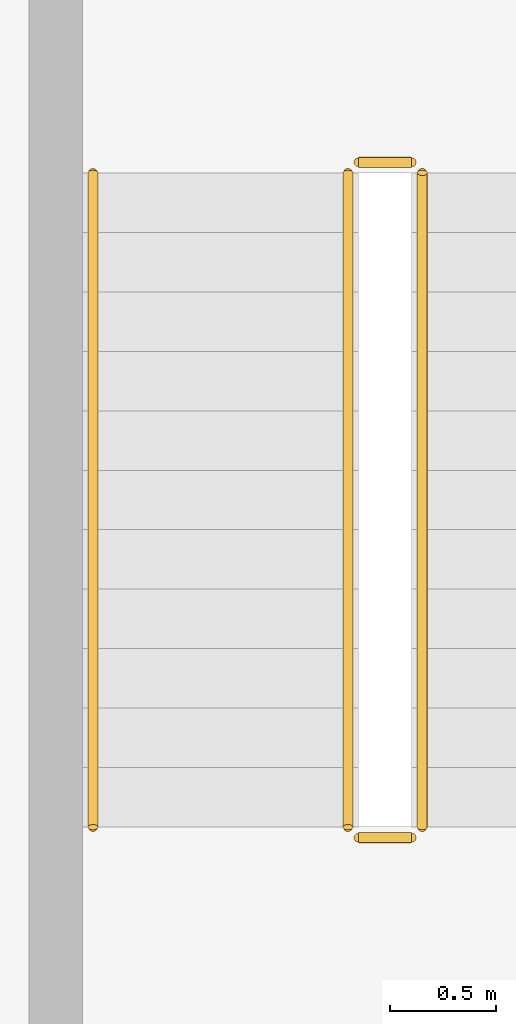
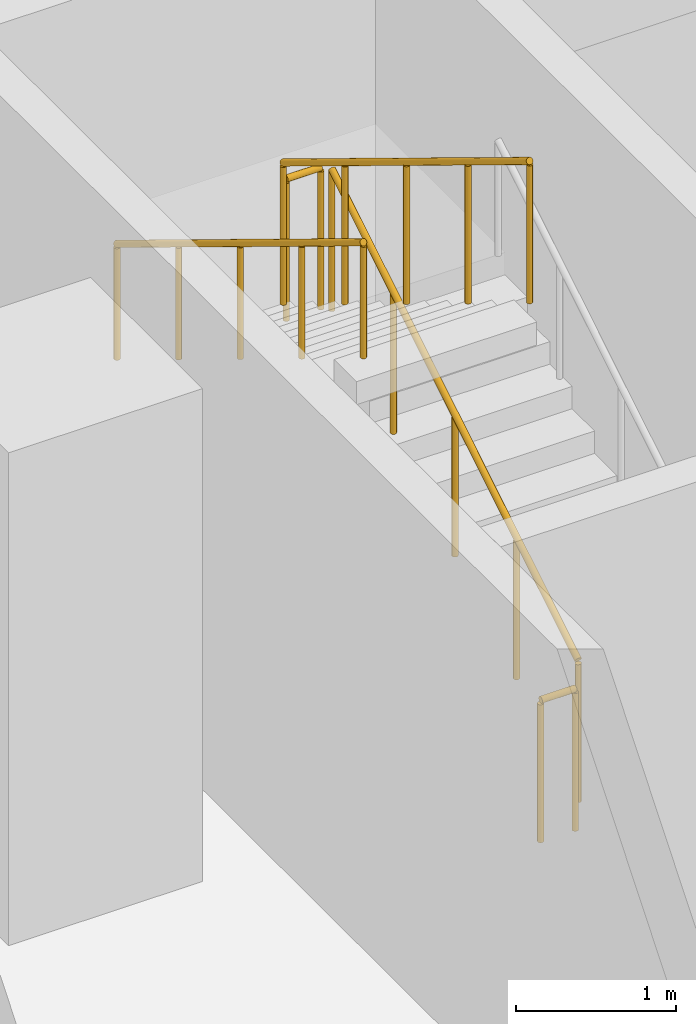
# One storey, part 26 of 29: 5 railings.
"""IFC4 building model written with IfcOpenShell, lengths in metres."""

from ifc_helpers import new_model, si_unit, direction, frame, origin, origin_2d, place, context, subcontext, project, spatial, circle, extrude, material, type_object, element, save


model = new_model("IFC4")

# Units and contexts
model_context = context("Model", 3, precision=1e-05, world=origin(), true_north=direction((0.0, 1.0)))
body_context = subcontext(model_context, "Body", "Model", "MODEL_VIEW")
ifc_project = project(units=[si_unit("LENGTHUNIT", "METRE"), si_unit("AREAUNIT", "SQUARE_METRE"), si_unit("VOLUMEUNIT", "CUBIC_METRE"), si_unit("PLANEANGLEUNIT", "RADIAN"), si_unit("MASSUNIT", "GRAM", prefix="KILO")], contexts=[model_context])

# Site, building, storey
site_placement = place(None, origin())
site = spatial("IfcSite", under=ifc_project, at=site_placement, CompositionType="ELEMENT")
building_placement = place(site_placement, origin())
building = spatial("IfcBuilding", under=site, at=building_placement, Name="Mahtab Terrace Research Tower", CompositionType="ELEMENT")
storey_placement = place(building_placement, frame((0.0, 0.0, 105.300048828125)))
storey = spatial("IfcBuildingStorey", under=building, at=storey_placement, Name="L24", CompositionType="ELEMENT", Elevation=105.300048828125)

# Railings
ifc_material = material(Name="Stainless steel AISI 304", Category="steel")
railing_type_1 = type_object("IfcRailingType", Name="Stair guard 1100", PredefinedType="GUARDRAIL", material=ifc_material)
railing_1_placement = place(storey_placement, frame((21.050048828125, 10.175048828125, 0.1708984375)))
element("IfcRailing", 1, at=railing_1_placement, inside=storey, type_object=railing_type_1, Name="L24 ST3 stair guard 1", PredefinedType="GUARDRAIL", context=body_context, shape_type="SweptSolid", body=[
    extrude(circle(Radius=0.02392578125, at=origin_2d()), frame((0.0, 0.0, 1.076171875), z_axis=(0.0, 0.853647949592, 0.520850437417), x_axis=(-1.0, 0.0, 0.0)), (0.0, 0.0, 1.0), 3.60791015625),
    extrude(circle(Radius=0.02099609375, at=origin_2d()), origin(), (0.0, 0.0, 1.0), 1.052001953125),
    extrude(circle(Radius=0.02099609375, at=origin_2d()), frame((0.0, 0.77001953125, 0.4697265625)), (0.0, 0.0, 1.0), 1.052001953125),
    extrude(circle(Radius=0.02099609375, at=origin_2d()), frame((0.0, 1.5400390625, 0.939453125)), (0.0, 0.0, 1.0), 1.052001953125),
    extrude(circle(Radius=0.02099609375, at=origin_2d()), frame((0.0, 2.309814453125, 1.409423828125)), (0.0, 0.0, 1.0), 1.052001953125),
    extrude(circle(Radius=0.02099609375, at=origin_2d()), frame((0.0, 3.079833984375, 1.879150390625)), (0.0, 0.0, 1.0), 1.052001953125),
])
railing_2_placement = place(storey_placement, frame((21.0, 13.304931640625, 2.050048828125)))
element("IfcRailing", 2, at=railing_2_placement, inside=storey, type_object=railing_type_1, Name="L24 ST3 stair guard 2", PredefinedType="GUARDRAIL", context=body_context, shape_type="SweptSolid", body=[
    extrude(circle(Radius=0.02392578125, at=origin_2d()), frame((0.0, 0.0, 1.076171875), z_axis=(-1.0, 0.0, 0.0), x_axis=(0.0, -1.0, 0.0)), (0.0, 0.0, 1.0), 0.25),
    extrude(circle(Radius=0.02099609375, at=origin_2d()), origin(), (0.0, 0.0, 1.0), 1.052001953125),
    extrude(circle(Radius=0.02099609375, at=origin_2d()), frame((-0.25, 0.0, 0.0)), (0.0, 0.0, 1.0), 1.052001953125),
])
railing_3_placement = place(storey_placement, frame((20.699951171875, 13.2548828125, 2.220703125)))
element("IfcRailing", 3, at=railing_3_placement, inside=storey, type_object=railing_type_1, Name="L24 ST3 stair guard 3", PredefinedType="GUARDRAIL", context=body_context, shape_type="SweptSolid", body=[
    extrude(circle(Radius=0.02392578125, at=origin_2d()), frame((0.0, 0.0, 1.076171875), z_axis=(0.0, -0.853647949592, 0.520850437417), x_axis=(1.0, 0.0, 0.0)), (0.0, 0.0, 1.0), 3.60791015625),
    extrude(circle(Radius=0.02099609375, at=origin_2d()), origin(), (0.0, 0.0, 1.0), 1.052001953125),
    extrude(circle(Radius=0.02099609375, at=origin_2d()), frame((0.0, -0.77001953125, 0.4697265625)), (0.0, 0.0, 1.0), 1.052001953125),
    extrude(circle(Radius=0.02099609375, at=origin_2d()), frame((0.0, -1.5400390625, 0.939453125)), (0.0, 0.0, 1.0), 1.052001953125),
    extrude(circle(Radius=0.02099609375, at=origin_2d()), frame((0.0, -2.309814453125, 1.409423828125)), (0.0, 0.0, 1.0), 1.052001953125),
    extrude(circle(Radius=0.02099609375, at=origin_2d()), frame((0.0, -3.079833984375, 1.879150390625)), (0.0, 0.0, 1.0), 1.052001953125),
])
railing_4_placement = place(storey_placement, frame((21.0, 10.125, 0.0)))
element("IfcRailing", 4, at=railing_4_placement, inside=storey, type_object=railing_type_1, Name="L24 ST3 stair guard 4", PredefinedType="GUARDRAIL", context=body_context, shape_type="SweptSolid", body=[
    extrude(circle(Radius=0.02392578125, at=origin_2d()), frame((0.0, 0.0, 1.076171875), z_axis=(-1.0, 0.0, 0.0), x_axis=(0.0, -1.0, 0.0)), (0.0, 0.0, 1.0), 0.25),
    extrude(circle(Radius=0.02099609375, at=origin_2d()), origin(), (0.0, 0.0, 1.0), 1.052001953125),
    extrude(circle(Radius=0.02099609375, at=origin_2d()), frame((-0.25, 0.0, 0.0)), (0.0, 0.0, 1.0), 1.052001953125),
])
railing_type_2 = type_object("IfcRailingType", Name="Stair handrail 900", PredefinedType="HANDRAIL", material=ifc_material)
railing_5_placement = place(storey_placement, frame((19.5, 13.2548828125, 2.220703125)))
element("IfcRailing", 5, at=railing_5_placement, inside=storey, type_object=railing_type_2, Name="L24 ST3 stair handrail 2", PredefinedType="HANDRAIL", context=body_context, shape_type="SweptSolid", body=[
    extrude(circle(Radius=0.02392578125, at=origin_2d()), frame((0.0, 0.0, 0.8759765625), z_axis=(0.0, -0.853647949592, 0.520850437417), x_axis=(1.0, 0.0, 0.0)), (0.0, 0.0, 1.0), 3.60791015625),
    extrude(circle(Radius=0.02099609375, at=origin_2d()), origin(), (0.0, 0.0, 1.0), 0.851806640625),
    extrude(circle(Radius=0.02099609375, at=origin_2d()), frame((0.0, -0.77001953125, 0.4697265625)), (0.0, 0.0, 1.0), 0.851806640625),
    extrude(circle(Radius=0.02099609375, at=origin_2d()), frame((0.0, -1.5400390625, 0.939453125)), (0.0, 0.0, 1.0), 0.851806640625),
    extrude(circle(Radius=0.02099609375, at=origin_2d()), frame((0.0, -2.309814453125, 1.409423828125)), (0.0, 0.0, 1.0), 0.851806640625),
    extrude(circle(Radius=0.02099609375, at=origin_2d()), frame((0.0, -3.079833984375, 1.879150390625)), (0.0, 0.0, 1.0), 0.851806640625),
])

save(model, "model.ifc")
